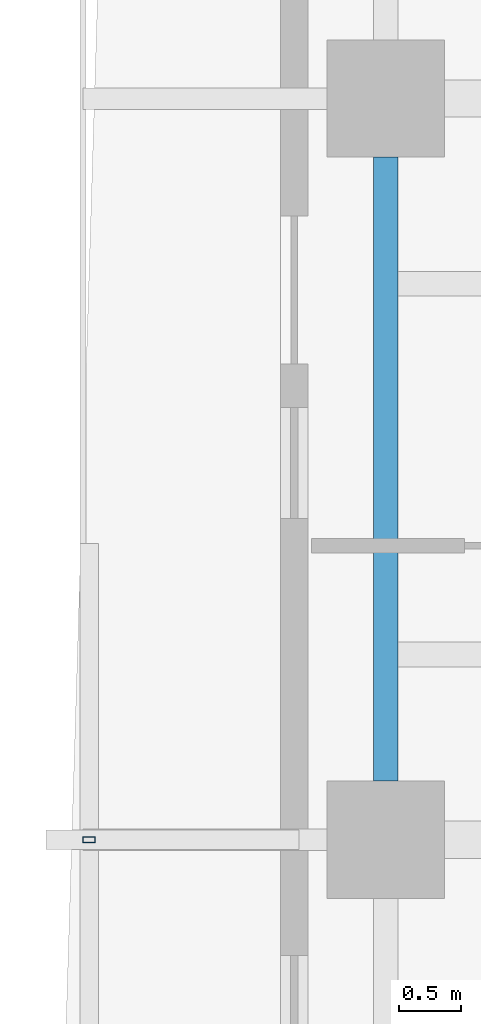
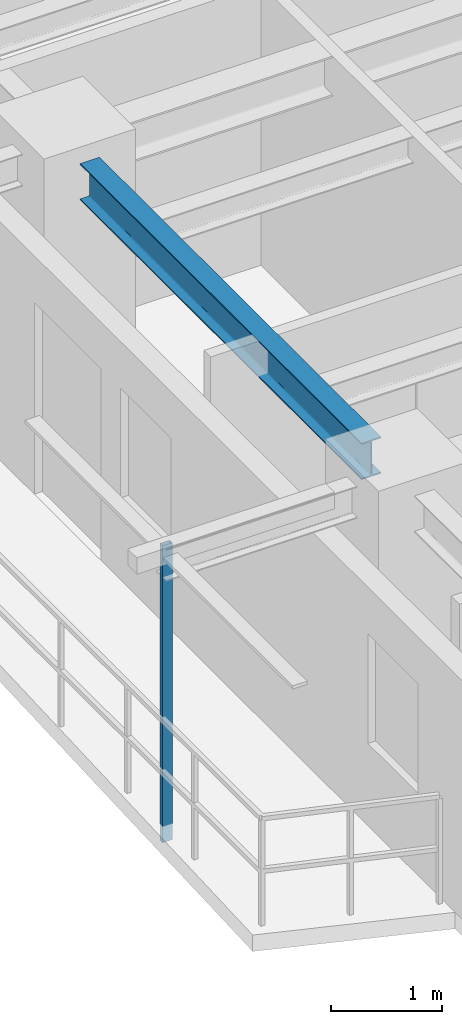
# One storey, part 4 of 17: 1 beam, 1 member.
"""IFC4 building model written with IfcOpenShell, lengths in metres."""

from ifc_helpers import new_model, si_unit, direction, frame, origin, origin_2d, place, context, subcontext, project, spatial, hollow_rectangle, i_section, extrude, source, transform, mapped, material, material_profile, profile_set, type_object, element, save


model = new_model("IFC4")

# Units and contexts
model_context = context("Model", 3, precision=1e-05, world=origin(), true_north=direction((0.0, 1.0)))
body_context = subcontext(model_context, "Body", "Model", "MODEL_VIEW")
ifc_project = project(units=[si_unit("LENGTHUNIT", "METRE"), si_unit("AREAUNIT", "SQUARE_METRE"), si_unit("VOLUMEUNIT", "CUBIC_METRE"), si_unit("PLANEANGLEUNIT", "RADIAN"), si_unit("MASSUNIT", "GRAM", prefix="KILO"), si_unit("THERMODYNAMICTEMPERATUREUNIT", "KELVIN"), si_unit("POWERUNIT", "WATT")], contexts=[model_context])

# Site, building, storey
site_placement = place(None, origin())
site = spatial("IfcSite", under=ifc_project, at=site_placement, CompositionType="ELEMENT")
building_placement = place(site_placement, origin())
building = spatial("IfcBuilding", under=site, at=building_placement, Name="Qiaomeng Ring Towers", CompositionType="ELEMENT")
storey_placement = place(building_placement, frame((0.0, 0.0, 143.75)))
storey = spatial("IfcBuildingStorey", under=building, at=storey_placement, Name="L41", CompositionType="ELEMENT", Elevation=143.75)

# Beam
ifc_material_1 = material(Name="Steel Q355B", Category="steel")
ifc_material_profile_1 = material_profile(ifc_material_1, i_section(OverallWidth=0.199951171875, OverallDepth=0.39990234375, WebThickness=0.008056640625, FlangeThickness=0.012939453125, FilletRadius=0.01611328125, at=origin_2d()), Name="HN 400x200x8x13")
ifc_profile_set_1 = profile_set([ifc_material_profile_1], Name="Steel Q355B")
beam_type = type_object("IfcBeamType", Name="STR-BM-HN400", PredefinedType="SPANDREL", material=ifc_profile_set_1)
shared_shape_1 = source(origin(), body_context, "Body", "SweptSolid", [
    extrude(i_section(OverallWidth=0.199951171875, OverallDepth=0.39990234375, WebThickness=0.008056640625, FlangeThickness=0.012939453125, FilletRadius=0.01611328125, at=origin_2d()), origin(), (0.0, 0.0, 1.0), 5.0517578125),
])
beam_placement = place(storey_placement, frame((1.949951171875, 25.52587890625, 2.8701171875), z_axis=(0.0, -1.0, 0.0), x_axis=(1.0, 0.0, 0.0)))
element("IfcBeam", 1, at=beam_placement, inside=storey, type_object=beam_type, Name="L41 beam STR-SP-L41-T1-W3-W2", PredefinedType="SPANDREL", context=body_context, shape_type="MappedRepresentation", body=[
    mapped(shared_shape_1, transform((0.0, 0.0, 0.0), x_axis=(1.0, 0.0, 0.0), y_axis=(0.0, 1.0, 0.0), z_axis=(0.0, 0.0, 1.0), scale=1.0)),
])

# Member
ifc_material_2 = material(Name="Stainless steel 316", Category="steel")
ifc_material_profile_2 = material_profile(ifc_material_2, hollow_rectangle(XDim=0.050048828125, YDim=0.10009765625, WallThickness=0.00390625, at=origin_2d()), Name="SS TRELLIS 100x50")
ifc_profile_set_2 = profile_set([ifc_material_profile_2], Name="Stainless steel 316")
member_type = type_object("IfcMemberType", Name="ARC-TR-POST2", PredefinedType="STUD", material=ifc_profile_set_2)
shared_shape_2 = source(origin(), body_context, "Body", "SweptSolid", [
    extrude(hollow_rectangle(XDim=0.050048828125, YDim=0.10009765625, WallThickness=0.00390625, at=origin_2d()), origin(), (0.0, 0.0, 1.0), 3.25),
])
member_placement = place(storey_placement, frame((-0.449951171875, 20.0, -0.179931640625), z_axis=(0.0, 0.0, 1.0), x_axis=(0.0, 1.0, 0.0)))
element("IfcMember", 2, at=member_placement, inside=storey, type_object=member_type, Name="L41 Outer Ventilated Trellis Post W", PredefinedType="STUD", context=body_context, shape_type="MappedRepresentation", body=[
    mapped(shared_shape_2, transform((0.0, 0.0, 0.0), x_axis=(1.0, 0.0, 0.0), y_axis=(0.0, 1.0, 0.0), z_axis=(0.0, 0.0, 1.0), scale=1.0)),
])

save(model, "model.ifc")
